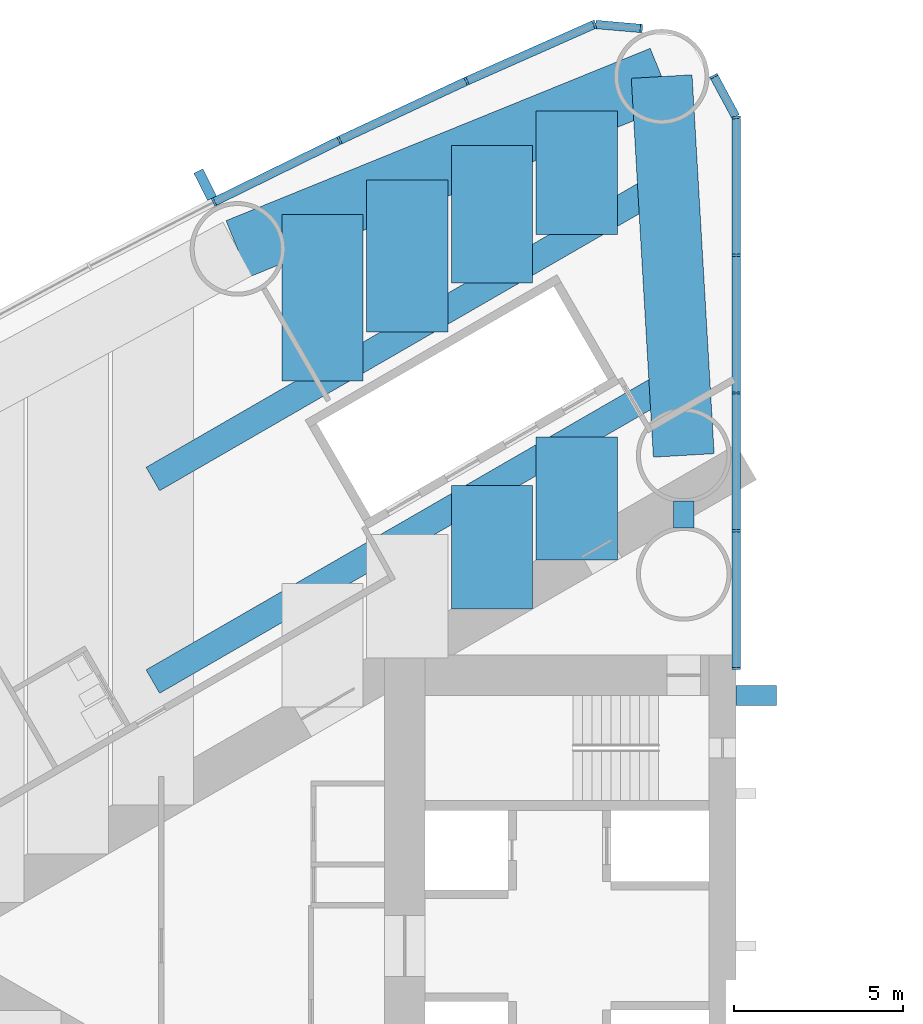
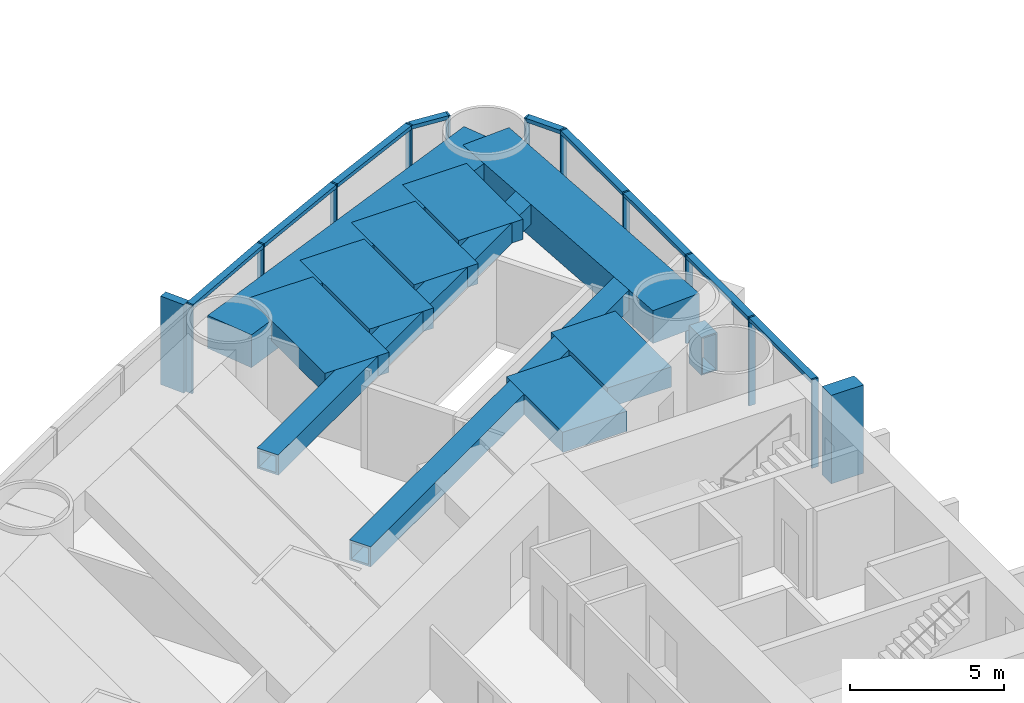
# One storey, part 5 of 19: 22 members, 11 beams, 2 elements without a shape of their own.
"""IFC4 building model written with IfcOpenShell, lengths in metres."""

from ifc_helpers import new_model, si_unit, direction, frame, origin, origin_2d, place, context, subcontext, project, spatial, rectangle, hollow_rectangle, extrude, material, material_profile, profile_set, type_object, element, aggregate, save


model = new_model("IFC4")

# Units and contexts
model_context = context("Model", 3, precision=1e-05, world=origin(), true_north=direction((0.0, 1.0)))
body_context = subcontext(model_context, "Body", "Model", "MODEL_VIEW")
ifc_project = project(units=[si_unit("LENGTHUNIT", "METRE"), si_unit("AREAUNIT", "SQUARE_METRE"), si_unit("VOLUMEUNIT", "CUBIC_METRE"), si_unit("PLANEANGLEUNIT", "RADIAN"), si_unit("MASSUNIT", "GRAM", prefix="KILO")], contexts=[model_context])

# Site, building, storey
site_placement = place(None, origin())
site = spatial("IfcSite", under=ifc_project, at=site_placement, CompositionType="ELEMENT")
building_placement = place(site_placement, origin())
building = spatial("IfcBuilding", under=site, at=building_placement, Name="Lancet Gate Hotel", CompositionType="ELEMENT")
storey_placement = place(building_placement, frame((0.0, 0.0, 60.0)))
storey = spatial("IfcBuildingStorey", under=building, at=storey_placement, Name="L15", CompositionType="ELEMENT", Elevation=60.0)

# Curtain wall, members
ifc_material_1 = material(Name="Aluminium curtain wall", Category="aluminium")
curtain_wall_type = type_object("IfcCurtainWallType", Name="Tower unitised curtain wall", PredefinedType="USERDEFINED", material=ifc_material_1)
curtain_wall_1_placement = place(storey_placement, origin())
curtain_wall_1 = element("IfcCurtainWall", 1, at=curtain_wall_1_placement, inside=storey, type_object=curtain_wall_type, Name="T1 L15 curtain wall 1", ObjectType="UNITISED CURTAIN WALL", PredefinedType="USERDEFINED")
ifc_material_2 = material(Name="Aluminium mullion", Category="aluminium")
ifc_material_profile_1 = material_profile(ifc_material_2, rectangle(XDim=0.06494140625, YDim=0.25, at=origin_2d()), Name="MULLION 65x250")
ifc_profile_set_1 = profile_set([ifc_material_profile_1], Name="Aluminium mullion")
member_type_1 = type_object("IfcMemberType", Name="Aluminium mullion 65x250", PredefinedType="MULLION", material=ifc_profile_set_1)
member_1_placement = place(storey_placement, frame((-27.5, 8.199951171875, 0.0), z_axis=(0.0, 0.0, 1.0), x_axis=(0.0, 1.0, 0.0)))
member_1 = element("IfcMember", 2, at=member_1_placement, type_object=member_type_1, Name="T1 L15 curtain wall 1 mullion 1", PredefinedType="MULLION", context=body_context, shape_type="SweptSolid", body=[
    extrude(rectangle(XDim=0.06494140625, YDim=0.25, at=origin_2d()), origin(), (0.0, 0.0, 1.0), 3.5),
])
member_2_placement = place(storey_placement, frame((-27.5, 12.272705078125, 0.0), z_axis=(0.0, 0.0, 1.0), x_axis=(0.0, 1.0, 0.0)))
member_2 = element("IfcMember", 3, at=member_2_placement, type_object=member_type_1, Name="T1 L15 curtain wall 1 mullion 2", PredefinedType="MULLION", context=body_context, shape_type="SweptSolid", body=[
    extrude(rectangle(XDim=0.06494140625, YDim=0.25, at=origin_2d()), origin(), (0.0, 0.0, 1.0), 3.5),
])
member_3_placement = place(storey_placement, frame((-27.5, 16.345703125, 0.0), z_axis=(0.0, 0.0, 1.0), x_axis=(0.0, 1.0, 0.0)))
member_3 = element("IfcMember", 4, at=member_3_placement, type_object=member_type_1, Name="T1 L15 curtain wall 1 mullion 3", PredefinedType="MULLION", context=body_context, shape_type="SweptSolid", body=[
    extrude(rectangle(XDim=0.06494140625, YDim=0.25, at=origin_2d()), origin(), (0.0, 0.0, 1.0), 3.5),
])
member_4_placement = place(storey_placement, frame((-27.5, 20.41845703125, 0.0), z_axis=(0.0, 0.0, 1.0), x_axis=(0.0, 1.0, 0.0)))
member_4 = element("IfcMember", 5, at=member_4_placement, type_object=member_type_1, Name="T1 L15 curtain wall 1 mullion 4", PredefinedType="MULLION", context=body_context, shape_type="SweptSolid", body=[
    extrude(rectangle(XDim=0.06494140625, YDim=0.25, at=origin_2d()), origin(), (0.0, 0.0, 1.0), 3.5),
])
member_5_placement = place(storey_placement, frame((-27.5, 24.4912109375, 0.0), z_axis=(0.0, 0.0, 1.0), x_axis=(-0.123482502544, 0.992346749662, 0.0)))
member_5 = element("IfcMember", 6, at=member_5_placement, type_object=member_type_1, Name="T1 L15 curtain wall 1 mullion 5", PredefinedType="MULLION", context=body_context, shape_type="SweptSolid", body=[
    extrude(rectangle(XDim=0.06494140625, YDim=0.25, at=origin_2d()), origin(), (0.0, 0.0, 1.0), 3.5),
])
member_6_placement = place(storey_placement, frame((-28.158935546875, 25.712890625, 0.0), z_axis=(0.0, 0.0, 1.0), x_axis=(-0.474631040972, 0.880184852714, 0.0)))
member_6 = element("IfcMember", 7, at=member_6_placement, type_object=member_type_1, Name="T1 L15 curtain wall 1 mullion 6", PredefinedType="MULLION", context=body_context, shape_type="SweptSolid", body=[
    extrude(rectangle(XDim=0.06494140625, YDim=0.25, at=origin_2d()), origin(), (0.0, 0.0, 1.0), 3.5),
])

curtain_wall_2_placement = place(storey_placement, origin())
curtain_wall_2 = element("IfcCurtainWall", 8, at=curtain_wall_2_placement, inside=storey, type_object=curtain_wall_type, Name="T1 L15 curtain wall 2", ObjectType="UNITISED CURTAIN WALL", PredefinedType="USERDEFINED")
member_7_placement = place(storey_placement, frame((-30.3046875, 27.124755859375, 0.0), z_axis=(0.0, 0.0, 1.0), x_axis=(-0.99620380374, 0.087051602022, 0.0)))
member_7 = element("IfcMember", 9, at=member_7_placement, type_object=member_type_1, Name="T1 L15 curtain wall 2 mullion 1", PredefinedType="MULLION", context=body_context, shape_type="SweptSolid", body=[
    extrude(rectangle(XDim=0.06494140625, YDim=0.25, at=origin_2d()), origin(), (0.0, 0.0, 1.0), 3.5),
])
member_8_placement = place(storey_placement, frame((-31.688720703125, 27.24560546875, 0.0), z_axis=(0.0, 0.0, 1.0), x_axis=(-0.957524354695, -0.288352406209, 0.0)))
member_8 = element("IfcMember", 10, at=member_8_placement, type_object=member_type_1, Name="T1 L15 curtain wall 2 mullion 2", PredefinedType="MULLION", context=body_context, shape_type="SweptSolid", body=[
    extrude(rectangle(XDim=0.06494140625, YDim=0.25, at=origin_2d()), origin(), (0.0, 0.0, 1.0), 3.5),
])
member_9_placement = place(storey_placement, frame((-35.473876953125, 25.568115234375, 0.0), z_axis=(0.0, 0.0, 1.0), x_axis=(-0.910219680212, -0.414125746308, 0.0)))
member_9 = element("IfcMember", 11, at=member_9_placement, type_object=member_type_1, Name="T1 L15 curtain wall 2 mullion 3", PredefinedType="MULLION", context=body_context, shape_type="SweptSolid", body=[
    extrude(rectangle(XDim=0.06494140625, YDim=0.25, at=origin_2d()), origin(), (0.0, 0.0, 1.0), 3.5),
])
member_10_placement = place(storey_placement, frame((-39.225341796875, 23.816650390625, 0.0), z_axis=(0.0, 0.0, 1.0), x_axis=(-0.901928838337, -0.431884672772, 0.0)))
member_10 = element("IfcMember", 12, at=member_10_placement, type_object=member_type_1, Name="T1 L15 curtain wall 2 mullion 4", PredefinedType="MULLION", context=body_context, shape_type="SweptSolid", body=[
    extrude(rectangle(XDim=0.06494140625, YDim=0.25, at=origin_2d()), origin(), (0.0, 0.0, 1.0), 3.5),
])
member_11_placement = place(storey_placement, frame((-42.94189453125, 21.991943359375, 0.0), z_axis=(0.0, 0.0, 1.0), x_axis=(-0.893291549794, -0.449477704748, 0.0)))
member_11 = element("IfcMember", 13, at=member_11_placement, type_object=member_type_1, Name="T1 L15 curtain wall 2 mullion 5", PredefinedType="MULLION", context=body_context, shape_type="SweptSolid", body=[
    extrude(rectangle(XDim=0.06494140625, YDim=0.25, at=origin_2d()), origin(), (0.0, 0.0, 1.0), 3.5),
])

# Member
ifc_material_3 = material(Name="Aluminium transom", Category="aluminium")
ifc_material_profile_2 = material_profile(ifc_material_3, rectangle(XDim=0.25, YDim=0.14990234375, at=origin_2d()), Name="TRANSOM 250x150")
ifc_profile_set_2 = profile_set([ifc_material_profile_2], Name="Aluminium transom")
member_type_2 = type_object("IfcMemberType", Name="Aluminium transom 250x150", PredefinedType="USERDEFINED", material=ifc_profile_set_2)
member_12_placement = place(storey_placement, frame((-27.5, 8.232421875, 3.425048828125), z_axis=(0.0, 1.0, 0.0), x_axis=(-1.0, 0.0, 0.0)))
member_12 = element("IfcMember", 14, at=member_12_placement, type_object=member_type_2, Name="T1 L15 curtain wall 1 transom 1", ObjectType="TRANSOM", PredefinedType="USERDEFINED", context=body_context, shape_type="SweptSolid", body=[
    extrude(rectangle(XDim=0.25, YDim=0.14990234375, at=origin_2d()), origin(), (0.0, 0.0, 1.0), 4.0078125),
])

member_13_placement = place(storey_placement, frame((-27.5, 12.30517578125, 3.425048828125), z_axis=(0.0, 1.0, 0.0), x_axis=(-1.0, 0.0, 0.0)))
member_13 = element("IfcMember", 15, at=member_13_placement, type_object=member_type_2, Name="T1 L15 curtain wall 1 transom 2", ObjectType="TRANSOM", PredefinedType="USERDEFINED", context=body_context, shape_type="SweptSolid", body=[
    extrude(rectangle(XDim=0.25, YDim=0.14990234375, at=origin_2d()), origin(), (0.0, 0.0, 1.0), 4.0078125),
])

member_14_placement = place(storey_placement, frame((-27.5, 16.378173828125, 3.425048828125), z_axis=(0.0, 1.0, 0.0), x_axis=(-1.0, 0.0, 0.0)))
member_14 = element("IfcMember", 16, at=member_14_placement, type_object=member_type_2, Name="T1 L15 curtain wall 1 transom 3", ObjectType="TRANSOM", PredefinedType="USERDEFINED", context=body_context, shape_type="SweptSolid", body=[
    extrude(rectangle(XDim=0.25, YDim=0.14990234375, at=origin_2d()), origin(), (0.0, 0.0, 1.0), 4.0078125),
])

member_15_placement = place(storey_placement, frame((-27.5, 20.450927734375, 3.425048828125), z_axis=(0.0, 1.0, 0.0), x_axis=(-1.0, 0.0, 0.0)))
member_15 = element("IfcMember", 17, at=member_15_placement, type_object=member_type_2, Name="T1 L15 curtain wall 1 transom 4", ObjectType="TRANSOM", PredefinedType="USERDEFINED", context=body_context, shape_type="SweptSolid", body=[
    extrude(rectangle(XDim=0.25, YDim=0.14990234375, at=origin_2d()), origin(), (0.0, 0.0, 1.0), 4.0078125),
])

member_16_placement = place(storey_placement, frame((-27.515380859375, 24.519775390625, 3.425048828125), z_axis=(-0.474605926905, 0.880198394765, 0.0), x_axis=(-0.880198394765, -0.474605926905, 0.0)))
member_16 = element("IfcMember", 18, at=member_16_placement, type_object=member_type_2, Name="T1 L15 curtain wall 1 transom 5", ObjectType="TRANSOM", PredefinedType="USERDEFINED", context=body_context, shape_type="SweptSolid", body=[
    extrude(rectangle(XDim=0.25, YDim=0.14990234375, at=origin_2d()), origin(), (0.0, 0.0, 1.0), 1.322998046875),
])

aggregate(curtain_wall_1, [member_1, member_2, member_3, member_4, member_5, member_6, member_12, member_13, member_14, member_15, member_16])

member_17_placement = place(storey_placement, frame((-30.337158203125, 27.127685546875, 3.425048828125), z_axis=(-0.99620591587, 0.087027427779, 0.0), x_axis=(-0.087027427779, -0.99620591587, 0.0)))
member_17 = element("IfcMember", 19, at=member_17_placement, type_object=member_type_2, Name="T1 L15 curtain wall 2 transom 1", ObjectType="TRANSOM", PredefinedType="USERDEFINED", context=body_context, shape_type="SweptSolid", body=[
    extrude(rectangle(XDim=0.25, YDim=0.14990234375, at=origin_2d()), origin(), (0.0, 0.0, 1.0), 1.32421875),
])

member_18_placement = place(storey_placement, frame((-31.71826171875, 27.232421875, 3.425048828125), z_axis=(-0.914248281954, -0.405154389022, 0.0), x_axis=(0.405154389022, -0.914248281954, 0.0)))
member_18 = element("IfcMember", 20, at=member_18_placement, type_object=member_type_2, Name="T1 L15 curtain wall 2 transom 2", ObjectType="TRANSOM", PredefinedType="USERDEFINED", context=body_context, shape_type="SweptSolid", body=[
    extrude(rectangle(XDim=0.25, YDim=0.14990234375, at=origin_2d()), origin(), (0.0, 0.0, 1.0), 4.0751953125),
])

member_19_placement = place(storey_placement, frame((-35.503173828125, 25.554443359375, 3.425048828125), z_axis=(-0.906109667261, -0.423042871228, 0.0), x_axis=(0.423042871228, -0.906109667261, 0.0)))
member_19 = element("IfcMember", 21, at=member_19_placement, type_object=member_type_2, Name="T1 L15 curtain wall 2 transom 3", ObjectType="TRANSOM", PredefinedType="USERDEFINED", context=body_context, shape_type="SweptSolid", body=[
    extrude(rectangle(XDim=0.25, YDim=0.14990234375, at=origin_2d()), origin(), (0.0, 0.0, 1.0), 4.075439453125),
])

member_20_placement = place(storey_placement, frame((-39.254638671875, 23.80224609375, 3.425048828125), z_axis=(-0.897662439958, -0.440683723194, 0.0), x_axis=(0.440683723194, -0.897662439958, 0.0)))
member_20 = element("IfcMember", 22, at=member_20_placement, type_object=member_type_2, Name="T1 L15 curtain wall 2 transom 4", ObjectType="TRANSOM", PredefinedType="USERDEFINED", context=body_context, shape_type="SweptSolid", body=[
    extrude(rectangle(XDim=0.25, YDim=0.14990234375, at=origin_2d()), origin(), (0.0, 0.0, 1.0), 4.0751953125),
])

# Beams
ifc_material_4 = material(Name="Concrete C50/60", Category="concrete")
ifc_material_profile_3 = material_profile(ifc_material_4, rectangle(XDim=1.800048828125, YDim=1.300048828125, at=origin_2d()), Name="RC 1800x1300")
ifc_profile_set_3 = profile_set([ifc_material_profile_3], Name="Concrete C50/60")
beam_type_1 = type_object("IfcBeamType", Name="Edge beam RC 1800x1300", PredefinedType="SPANDREL", material=ifc_profile_set_3)
beam_1_placement = place(storey_placement, frame((-29.703369140625, 25.70263671875, 2.60009765625), z_axis=(-0.926463236197, -0.376385270667, 0.0), x_axis=(0.376385270667, -0.926463236197, 0.0)))
element("IfcBeam", 23, at=beam_1_placement, inside=storey, type_object=beam_type_1, Name="T1 edge beam EB1 L15", PredefinedType="SPANDREL", context=body_context, shape_type="SweptSolid", body=[
    extrude(rectangle(XDim=1.800048828125, YDim=1.300048828125, at=origin_2d()), origin(), (0.0, 0.0, 1.0), 13.537353515625),
])
beam_2_placement = place(storey_placement, frame((-29.703369140625, 25.70263671875, 2.60009765625), z_axis=(0.058219521912, -0.998303805096, 0.0), x_axis=(0.998303805096, 0.058219521912, 0.0)))
element("IfcBeam", 24, at=beam_2_placement, inside=storey, type_object=beam_type_1, Name="T1 edge beam EB1 L15", PredefinedType="SPANDREL", context=body_context, shape_type="SweptSolid", body=[
    extrude(rectangle(XDim=1.800048828125, YDim=1.300048828125, at=origin_2d()), origin(), (0.0, 0.0, 1.0), 11.2216796875),
])

# Member
ifc_material_5 = material(Name="Concrete C60/75", Category="concrete")
ifc_material_profile_4 = material_profile(ifc_material_5, rectangle(XDim=0.60009765625, YDim=1.199951171875, at=origin_2d()), Name="FIN 600x1200")
ifc_profile_set_4 = profile_set([ifc_material_profile_4], Name="Concrete C60/75")
member_type_3 = type_object("IfcMemberType", Name="Exposed concrete buttress pilaster 600x1200", PredefinedType="USERDEFINED", material=ifc_profile_set_4)
member_21_placement = place(storey_placement, frame((-26.909912109375, 7.39990234375, 0.0), z_axis=(0.0, 0.0, 1.0), x_axis=(0.0, 1.0, 0.0)))
element("IfcMember", 25, at=member_21_placement, inside=storey, type_object=member_type_3, Name="T1 buttress pilaster S L15", ObjectType="FIN", PredefinedType="USERDEFINED", context=body_context, shape_type="SweptSolid", body=[
    extrude(rectangle(XDim=0.60009765625, YDim=1.199951171875, at=origin_2d()), origin(), (0.0, 0.0, 1.0), 3.5),
])

ifc_material_6 = material(Name="Precast concrete C50/60", Category="concrete")
ifc_material_profile_5 = material_profile(ifc_material_6, rectangle(XDim=0.300048828125, YDim=0.89990234375, at=origin_2d()), Name="FIN 300x900")
ifc_profile_set_5 = profile_set([ifc_material_profile_5], Name="Precast concrete C50/60")
member_type_4 = type_object("IfcMemberType", Name="Exposed concrete fin 300x900", PredefinedType="USERDEFINED", material=ifc_profile_set_5)
member_22_placement = place(storey_placement, frame((-43.200439453125, 22.505615234375, 0.0), z_axis=(0.0, 0.0, 1.0), x_axis=(-0.893291549794, -0.449477704748, 0.0)))
member_22 = element("IfcMember", 26, at=member_22_placement, type_object=member_type_4, Name="T1 L15 curtain wall 2 fin 5", ObjectType="FIN", PredefinedType="USERDEFINED", context=body_context, shape_type="SweptSolid", body=[
    extrude(rectangle(XDim=0.300048828125, YDim=0.89990234375, at=origin_2d()), origin(), (0.0, 0.0, 1.0), 3.5),
])

aggregate(curtain_wall_2, [member_7, member_8, member_9, member_10, member_11, member_22, member_17, member_18, member_19, member_20])

# Beams
ifc_material_7 = material(Name="Concrete C50/60", Category="concrete")
ifc_material_profile_6 = material_profile(ifc_material_7, rectangle(XDim=2.39990234375, YDim=0.800048828125, at=origin_2d()), Name="RC 2400x800")
ifc_profile_set_6 = profile_set([ifc_material_profile_6], Name="Concrete C50/60")
beam_type_2 = type_object("IfcBeamType", Name="Floor beam RC 2400x800", PredefinedType="BEAM", material=ifc_profile_set_6)
beam_3_placement = place(storey_placement, frame((-32.213623046875, 24.682861328125, 2.85009765625), z_axis=(0.0, -1.0, 0.0), x_axis=(1.0, 0.0, 0.0)))
element("IfcBeam", 27, at=beam_3_placement, inside=storey, type_object=beam_type_2, Name="T1 floor beam F02SA L15", PredefinedType="BEAM", context=body_context, shape_type="SweptSolid", body=[
    extrude(rectangle(XDim=2.39990234375, YDim=0.800048828125, at=origin_2d()), origin(), (0.0, 0.0, 1.0), 3.643798828125),
])
beam_4_placement = place(storey_placement, frame((-32.213623046875, 15.051025390625, 2.85009765625), z_axis=(0.0, -1.0, 0.0), x_axis=(1.0, 0.0, 0.0)))
element("IfcBeam", 28, at=beam_4_placement, inside=storey, type_object=beam_type_2, Name="T1 floor beam F02SB L15", PredefinedType="BEAM", context=body_context, shape_type="SweptSolid", body=[
    extrude(rectangle(XDim=2.39990234375, YDim=0.800048828125, at=origin_2d()), origin(), (0.0, 0.0, 1.0), 3.645751953125),
])
beam_5_placement = place(storey_placement, frame((-34.720458984375, 23.664306640625, 2.85009765625), z_axis=(0.0, -1.0, 0.0), x_axis=(1.0, 0.0, 0.0)))
element("IfcBeam", 29, at=beam_5_placement, inside=storey, type_object=beam_type_2, Name="T1 floor beam F04SA L15", PredefinedType="BEAM", context=body_context, shape_type="SweptSolid", body=[
    extrude(rectangle(XDim=2.39990234375, YDim=0.800048828125, at=origin_2d()), origin(), (0.0, 0.0, 1.0), 4.07275390625),
])
beam_6_placement = place(storey_placement, frame((-34.720458984375, 13.603759765625, 2.85009765625), z_axis=(0.0, -1.0, 0.0), x_axis=(1.0, 0.0, 0.0)))
element("IfcBeam", 30, at=beam_6_placement, inside=storey, type_object=beam_type_2, Name="T1 floor beam F04SB L15", PredefinedType="BEAM", context=body_context, shape_type="SweptSolid", body=[
    extrude(rectangle(XDim=2.39990234375, YDim=0.800048828125, at=origin_2d()), origin(), (0.0, 0.0, 1.0), 3.645751953125),
])
beam_7_placement = place(storey_placement, frame((-37.227294921875, 22.64599609375, 2.85009765625), z_axis=(0.0, -1.0, 0.0), x_axis=(1.0, 0.0, 0.0)))
element("IfcBeam", 31, at=beam_7_placement, inside=storey, type_object=beam_type_2, Name="T1 floor beam F05SA L15", PredefinedType="BEAM", context=body_context, shape_type="SweptSolid", body=[
    extrude(rectangle(XDim=2.39990234375, YDim=0.800048828125, at=origin_2d()), origin(), (0.0, 0.0, 1.0), 4.501953125),
])
beam_8_placement = place(storey_placement, frame((-39.734130859375, 21.627685546875, 2.85009765625), z_axis=(0.0, -1.0, 0.0), x_axis=(1.0, 0.0, 0.0)))
element("IfcBeam", 32, at=beam_8_placement, inside=storey, type_object=beam_type_2, Name="T1 floor beam F07SA L15", PredefinedType="BEAM", context=body_context, shape_type="SweptSolid", body=[
    extrude(rectangle(XDim=2.39990234375, YDim=0.800048828125, at=origin_2d()), origin(), (0.0, 0.0, 1.0), 4.93115234375),
])
ifc_material_8 = material(Name="Steel S460QL", Category="steel")
ifc_material_profile_7 = material_profile(ifc_material_8, hollow_rectangle(XDim=0.60009765625, YDim=1.5, WallThickness=0.050048828125, at=origin_2d()), Name="BOX 1500x600x50")
ifc_profile_set_7 = profile_set([ifc_material_profile_7], Name="Steel S460QL")
beam_type_3 = type_object("IfcBeamType", Name="Inner-face link beam BOX 1500x600x50", PredefinedType="BEAM", material=ifc_profile_set_7)
beam_9_placement = place(storey_placement, frame((-29.050048828125, 13.14990234375, 2.5), z_axis=(0.0, -1.0, 0.0), x_axis=(1.0, 0.0, 0.0)))
element("IfcBeam", 33, at=beam_9_placement, inside=storey, type_object=beam_type_3, Name="T1 inner-face link beam LK1 L15", PredefinedType="BEAM", context=body_context, shape_type="SweptSolid", body=[
    extrude(hollow_rectangle(XDim=0.60009765625, YDim=1.5, WallThickness=0.050048828125, at=origin_2d()), origin(), (0.0, 0.0, 1.0), 0.7998046875),
])
ifc_material_9 = material(Name="Steel S460QL", Category="steel")
ifc_material_profile_8 = material_profile(ifc_material_9, hollow_rectangle(XDim=0.800048828125, YDim=0.800048828125, WallThickness=0.080078125, at=origin_2d()), Name="BOX 800x800x80")
ifc_profile_set_8 = profile_set([ifc_material_profile_8], Name="Steel S460QL")
beam_type_4 = type_object("IfcBeamType", Name="Trimmer beam BOX 800x800x80", PredefinedType="BEAM", material=ifc_profile_set_8)
beam_10_placement = place(storey_placement, frame((-29.18408203125, 16.800537109375, 2.85009765625), z_axis=(-0.865998945969, -0.500045823481, 0.0), x_axis=(0.500045823481, -0.865998945969, 0.0)))
element("IfcBeam", 34, at=beam_10_placement, inside=storey, type_object=beam_type_4, Name="T1 trimmer beam TR01S L15", PredefinedType="BEAM", context=body_context, shape_type="SweptSolid", body=[
    extrude(hollow_rectangle(XDim=0.800048828125, YDim=0.800048828125, WallThickness=0.080078125, at=origin_2d()), origin(), (0.0, 0.0, 1.0), 17.971923828125),
])
beam_11_placement = place(storey_placement, frame((-29.52197265625, 22.59326171875, 2.85009765625), z_axis=(-0.866004054636, -0.500036975987, 0.0), x_axis=(0.500036975987, -0.866004054636, 0.0)))
element("IfcBeam", 35, at=beam_11_placement, inside=storey, type_object=beam_type_4, Name="T1 trimmer beam TR02S L15", PredefinedType="BEAM", context=body_context, shape_type="SweptSolid", body=[
    extrude(hollow_rectangle(XDim=0.800048828125, YDim=0.800048828125, WallThickness=0.080078125, at=origin_2d()), origin(), (0.0, 0.0, 1.0), 17.581787109375),
])

save(model, "model.ifc")
